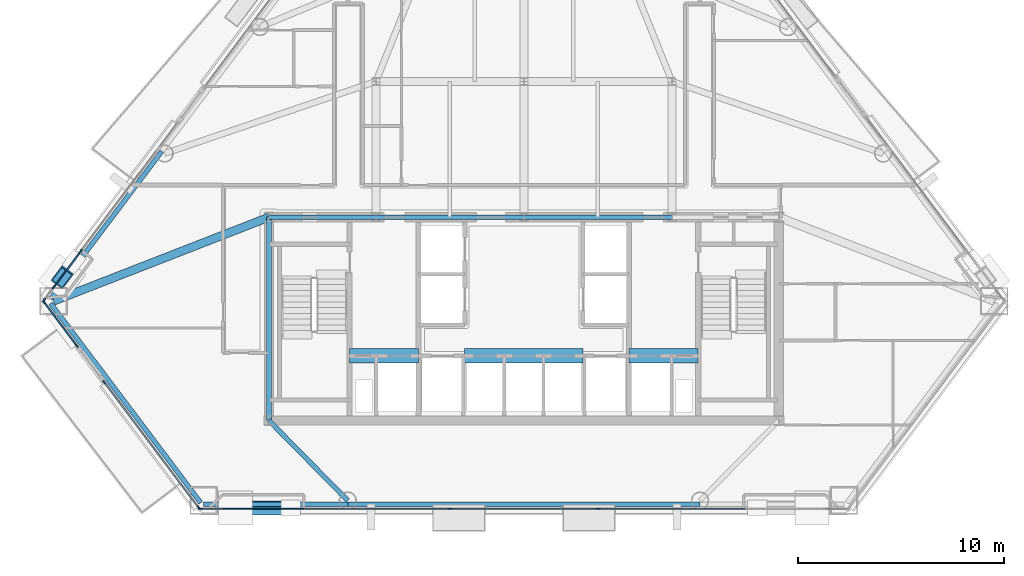
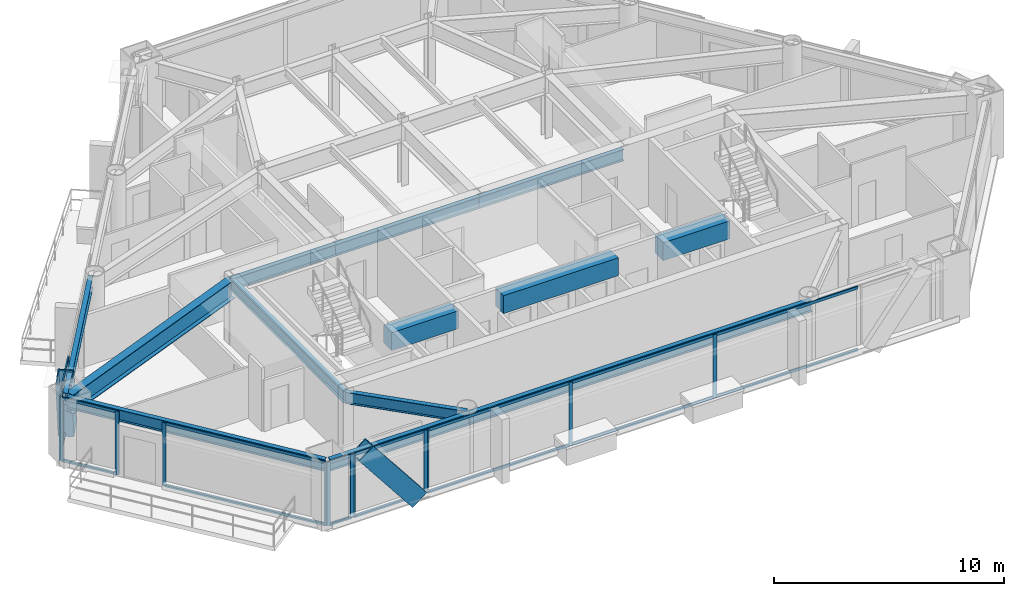
# One storey, part 2 of 14: 34 members, 13 beams, 8 elements without a shape of their own.
"""IFC4 building model written with IfcOpenShell, lengths in metres."""

from ifc_helpers import new_model, si_unit, direction, frame, origin, origin_2d, place, context, subcontext, project, spatial, rectangle, hollow_rectangle, i_section, extrude, material, layer, layer_set, material_profile, profile_set, type_object, element, aggregate, save


model = new_model("IFC4")

# Units and contexts
model_context = context("Model", 3, precision=1e-05, world=origin(), true_north=direction((0.0, 1.0)))
body_context = subcontext(model_context, "Body", "Model", "MODEL_VIEW")
ifc_project = project(units=[si_unit("LENGTHUNIT", "METRE"), si_unit("AREAUNIT", "SQUARE_METRE"), si_unit("VOLUMEUNIT", "CUBIC_METRE"), si_unit("PLANEANGLEUNIT", "RADIAN"), si_unit("MASSUNIT", "GRAM", prefix="KILO")], contexts=[model_context])

# Site, building, storey
site_placement = place(None, origin())
site = spatial("IfcSite", under=ifc_project, at=site_placement, CompositionType="ELEMENT")
building_placement = place(site_placement, origin())
building = spatial("IfcBuilding", under=site, at=building_placement, Name="Talgorran Terracotta Tower", CompositionType="ELEMENT")
storey_placement = place(building_placement, frame((0.0, 0.0, 53.10009765625)))
storey = spatial("IfcBuildingStorey", under=building, at=storey_placement, Name="L13", CompositionType="ELEMENT", Elevation=53.10009765625)

# Beams
ifc_material_1 = material(Name="Steel Grade 350 (350L0)", Category="steel")
ifc_material_profile_1 = material_profile(ifc_material_1, i_section(OverallWidth=0.39990234375, OverallDepth=1.0, WebThickness=0.01611328125, FlangeThickness=0.031005859375, at=origin_2d()), Name="1000WB296")
ifc_profile_set_1 = profile_set([ifc_material_profile_1], Name="Steel Grade 350 (350L0)")
beam_type_1 = type_object("IfcBeamType", Name="BM_1000WB296", PredefinedType="BEAM", material=ifc_profile_set_1)
beam_1_placement = place(storey_placement, frame((-12.39990234375, -4.199951171875, 2.849853515625), z_axis=(-0.931733259181, -0.363143406571, 0.0), x_axis=(0.363143406571, -0.931733259181, 0.0)))
element("IfcBeam", 1, at=beam_1_placement, inside=storey, type_object=beam_type_1, Name="L13 Floor Girder G17", PredefinedType="BEAM", context=body_context, shape_type="SweptSolid", body=[
    extrude(i_section(OverallWidth=0.39990234375, OverallDepth=1.0, WebThickness=0.01611328125, FlangeThickness=0.031005859375, at=origin_2d()), origin(), (0.0, 0.0, 1.0), 11.253662109375),
])
ifc_material_2 = material(Name="Concrete C65/80", Category="concrete")
ifc_material_profile_2 = material_profile(ifc_material_2, rectangle(XDim=0.699951171875, YDim=0.949951171875, at=origin_2d()), Name="RCCB700X950")
ifc_profile_set_2 = profile_set([ifc_material_profile_2], Name="Concrete C65/80")
beam_type_2 = type_object("IfcBeamType", Name="BM_CB_700X950", PredefinedType="LINTEL", material=ifc_profile_set_2)
beam_2_placement = place(storey_placement, frame((-8.47998046875, -10.949951171875, 2.875), z_axis=(1.0, 0.0, 0.0), x_axis=(0.0, 1.0, 0.0)))
element("IfcBeam", 2, at=beam_2_placement, inside=storey, type_object=beam_type_2, Name="L13 Core Shear-Wall Coupling Beam CB1", PredefinedType="LINTEL", context=body_context, shape_type="SweptSolid", body=[
    extrude(rectangle(XDim=0.699951171875, YDim=0.949951171875, at=origin_2d()), origin(), (0.0, 0.0, 1.0), 3.35986328125),
])
beam_3_placement = place(storey_placement, frame((-2.8798828125, -10.949951171875, 2.875), z_axis=(1.0, 0.0, 0.0), x_axis=(0.0, 1.0, 0.0)))
element("IfcBeam", 3, at=beam_3_placement, inside=storey, type_object=beam_type_2, Name="L13 Core Shear-Wall Coupling Beam CB2", PredefinedType="LINTEL", context=body_context, shape_type="SweptSolid", body=[
    extrude(rectangle(XDim=0.699951171875, YDim=0.949951171875, at=origin_2d()), origin(), (0.0, 0.0, 1.0), 5.759765625),
])
beam_4_placement = place(storey_placement, frame((5.1201171875, -10.949951171875, 2.875), z_axis=(1.0, 0.0, 0.0), x_axis=(0.0, 1.0, 0.0)))
element("IfcBeam", 4, at=beam_4_placement, inside=storey, type_object=beam_type_2, Name="L13 Core Shear-Wall Coupling Beam CB3", PredefinedType="LINTEL", context=body_context, shape_type="SweptSolid", body=[
    extrude(rectangle(XDim=0.699951171875, YDim=0.949951171875, at=origin_2d()), origin(), (0.0, 0.0, 1.0), 3.35986328125),
])
ifc_material_3 = material(Name="Steel S355 (300PLUS)", Category="steel")
ifc_material_profile_3 = material_profile(ifc_material_3, i_section(OverallWidth=0.22900390625, OverallDepth=0.611572265625, WebThickness=0.011962890625, FlangeThickness=0.01953125, at=origin_2d()), Name="610UB125")
ifc_profile_set_3 = profile_set([ifc_material_profile_3], Name="Steel S355 (300PLUS)")
beam_type_3 = type_object("IfcBeamType", Name="BM_SP_610UB125", PredefinedType="SPANDREL", material=ifc_profile_set_3)
beam_5_placement = place(storey_placement, frame((-23.029052734375, -8.39501953125, 3.044189453125), z_axis=(0.601442935973, -0.798915761997, 0.0), x_axis=(0.798915761997, 0.601442935973, 0.0)))
element("IfcBeam", 5, at=beam_5_placement, inside=storey, type_object=beam_type_3, Name="L13 Perimeter Spandrel Beam MC1-MC2", PredefinedType="SPANDREL", context=body_context, shape_type="SweptSolid", body=[
    extrude(i_section(OverallWidth=0.22900390625, OverallDepth=0.611572265625, WebThickness=0.011962890625, FlangeThickness=0.01953125, at=origin_2d()), origin(), (0.0, 0.0, 1.0), 12.14697265625),
])
beam_6_placement = place(storey_placement, frame((-15.57958984375, -18.171142578125, 3.044189453125), z_axis=(1.0, 0.0, 0.0), x_axis=(0.0, 1.0, 0.0)))
element("IfcBeam", 6, at=beam_6_placement, inside=storey, type_object=beam_type_3, Name="L13 Perimeter Spandrel Beam MC2-FC1", PredefinedType="SPANDREL", context=body_context, shape_type="SweptSolid", body=[
    extrude(i_section(OverallWidth=0.22900390625, OverallDepth=0.611572265625, WebThickness=0.011962890625, FlangeThickness=0.01953125, at=origin_2d()), origin(), (0.0, 0.0, 1.0), 7.0107421875),
])
beam_7_placement = place(storey_placement, frame((-8.56884765625, -18.171142578125, 3.044189453125), z_axis=(1.0, 0.0, 0.0), x_axis=(0.0, 1.0, 0.0)))
element("IfcBeam", 7, at=beam_7_placement, inside=storey, type_object=beam_type_3, Name="L13 Perimeter Spandrel Beam FC1-FC2", PredefinedType="SPANDREL", context=body_context, shape_type="SweptSolid", body=[
    extrude(i_section(OverallWidth=0.22900390625, OverallDepth=0.611572265625, WebThickness=0.011962890625, FlangeThickness=0.01953125, at=origin_2d()), origin(), (0.0, 0.0, 1.0), 17.1376953125),
])
beam_8_placement = place(storey_placement, frame((-17.622314453125, -0.996337890625, 3.044189453125), z_axis=(-0.601446008666, -0.798913448791, 0.0), x_axis=(0.798913448791, -0.601446008666, 0.0)))
element("IfcBeam", 8, at=beam_8_placement, inside=storey, type_object=beam_type_3, Name="L13 Perimeter Spandrel Beam FC6-MC1", PredefinedType="SPANDREL", context=body_context, shape_type="SweptSolid", body=[
    extrude(i_section(OverallWidth=0.22900390625, OverallDepth=0.611572265625, WebThickness=0.011962890625, FlangeThickness=0.01953125, at=origin_2d()), origin(), (0.0, 0.0, 1.0), 8.989501953125),
])
beam_9_placement = place(storey_placement, frame((-8.56884765625, -17.9912109375, 3.044189453125), z_axis=(-0.701586091596, 0.712584700985, 0.0), x_axis=(-0.712584700985, -0.701586091596, 0.0)))
element("IfcBeam", 9, at=beam_9_placement, inside=storey, type_object=beam_type_3, Name="L13 South-West Core Tie Beam", PredefinedType="SPANDREL", context=body_context, shape_type="SweptSolid", body=[
    extrude(i_section(OverallWidth=0.22900390625, OverallDepth=0.611572265625, WebThickness=0.011962890625, FlangeThickness=0.01953125, at=origin_2d()), origin(), (0.0, 0.0, 1.0), 5.46044921875),
])
beam_10_placement = place(storey_placement, frame((-12.39990234375, -14.10009765625, 3.044189453125), z_axis=(0.0, 1.0, 0.0), x_axis=(-1.0, 0.0, 0.0)))
element("IfcBeam", 10, at=beam_10_placement, inside=storey, type_object=beam_type_3, Name="L13 Core Frame Beam CFW", PredefinedType="SPANDREL", context=body_context, shape_type="SweptSolid", body=[
    extrude(i_section(OverallWidth=0.22900390625, OverallDepth=0.611572265625, WebThickness=0.011962890625, FlangeThickness=0.01953125, at=origin_2d()), origin(), (0.0, 0.0, 1.0), 9.900146484375),
])
beam_11_placement = place(storey_placement, frame((-12.39990234375, -4.199951171875, 3.044189453125), z_axis=(1.0, 0.0, 0.0), x_axis=(0.0, 1.0, 0.0)))
element("IfcBeam", 11, at=beam_11_placement, inside=storey, type_object=beam_type_3, Name="L13 Core Frame Beam CFN1", PredefinedType="SPANDREL", context=body_context, shape_type="SweptSolid", body=[
    extrude(i_section(OverallWidth=0.22900390625, OverallDepth=0.611572265625, WebThickness=0.011962890625, FlangeThickness=0.01953125, at=origin_2d()), origin(), (0.0, 0.0, 1.0), 5.199951171875),
])
for number, where, z_axis, x_axis, name in (
    (12, (-7.199951171875, -4.199951171875, 3.044189453125), (1.0, 0.0, 0.0), (0.0, 1.0, 0.0), "L13 Core Frame Beam CFN2"),
    (13, (0.0, -4.199951171875, 3.044189453125), (1.0, 0.0, 0.0), (0.0, 1.0, 0.0), "L13 Core Frame Beam CFN3"),
):
    element("IfcBeam", number, at=place(storey_placement, frame(where, z_axis=z_axis, x_axis=x_axis)), inside=storey, type_object=beam_type_3, Name=name, PredefinedType="SPANDREL", context=body_context, shape_type="SweptSolid", body=[
        extrude(i_section(OverallWidth=0.22900390625, OverallDepth=0.611572265625, WebThickness=0.011962890625, FlangeThickness=0.01953125, at=origin_2d()), origin(), (0.0, 0.0, 1.0), 7.199951171875),
    ])

# Members
ifc_material_profile_4 = material_profile(ifc_material_1, hollow_rectangle(XDim=0.699951171875, YDim=0.89990234375, WallThickness=0.050048828125, at=origin_2d()), Name="WBOX900X700X50")
ifc_profile_set_4 = profile_set([ifc_material_profile_4], Name="Steel Grade 350 (350L0)")
member_type_1 = type_object("IfcMemberType", Name="MB_MEGA_900", PredefinedType="BRACE", material=ifc_profile_set_4)
member_1_placement = place(storey_placement, frame((-11.3466796875, -18.35107421875, -0.025146484375), z_axis=(-0.618879608135, 0.0, 0.78548585642), x_axis=(0.0, -1.0, 0.0)))
element("IfcMember", 14, at=member_1_placement, inside=storey, type_object=member_type_1, Name="L13 Exterior Face Mega-Brace MB-1 (SWF)", PredefinedType="BRACE", context=body_context, shape_type="SweptSolid", body=[
    extrude(hollow_rectangle(XDim=0.699951171875, YDim=0.89990234375, WallThickness=0.050048828125, at=origin_2d()), origin(), (0.0, 0.0, 1.0), 4.32861328125),
])
member_2_placement = place(storey_placement, frame((-21.889892578125, -6.365478515625, -0.025146484375), z_axis=(-0.164509793484, -0.218586690335, 0.961850501199), x_axis=(0.79899919389, -0.601332094738, 0.0)))
element("IfcMember", 15, at=member_2_placement, inside=storey, type_object=member_type_1, Name="L13 Exterior Face Mega-Brace MB-1 (NWL)", PredefinedType="BRACE", context=body_context, shape_type="SweptSolid", body=[
    extrude(hollow_rectangle(XDim=0.699951171875, YDim=0.89990234375, WallThickness=0.050048828125, at=origin_2d()), origin(), (0.0, 0.0, 1.0), 3.534912109375),
])

# Curtain wall, members
ifc_material_4 = material(Name="Unitised Low-E Double Glazing", Category="glass")
ifc_layer = layer(ifc_material_4, 0.199951171875, Name="CW_SYS2_RES_LOW")
ifc_layer_set = layer_set([ifc_layer], Name="Unitised Low-E Double Glazing")
curtain_wall_type = type_object("IfcCurtainWallType", Name="CW_SYS2_RES_LOW", PredefinedType="NOTDEFINED", material=ifc_layer_set)
curtain_wall_1_placement = place(storey_placement, origin())
curtain_wall_1 = element("IfcCurtainWall", 16, at=curtain_wall_1_placement, inside=storey, type_object=curtain_wall_type, Name="CW-L13-F10", PredefinedType="NOTDEFINED")
ifc_material_5 = material(Name="Architectural Aluminium 6063-T6", Category="aluminium")
ifc_material_profile_5 = material_profile(ifc_material_5, rectangle(XDim=0.06494140625, YDim=0.18505859375, at=origin_2d()), Name="CWM65X185")
ifc_profile_set_5 = profile_set([ifc_material_profile_5], Name="Architectural Aluminium 6063-T6")
member_type_2 = type_object("IfcMemberType", Name="MUL_65X185", PredefinedType="MULLION", material=ifc_profile_set_5)
member_3_placement = place(storey_placement, frame((-23.34228515625, -8.344482421875, 0.0), z_axis=(0.0, 0.0, 1.0), x_axis=(0.798921513166, 0.601435296438, 0.0)))
member_3 = element("IfcMember", 17, at=member_3_placement, type_object=member_type_2, Name="CW-L13-10 mullion 1", PredefinedType="MULLION", context=body_context, shape_type="SweptSolid", body=[
    extrude(rectangle(XDim=0.06494140625, YDim=0.18505859375, at=origin_2d()), origin(), (0.0, 0.0, 1.0), 3.349853515625),
])
member_4_placement = place(storey_placement, frame((-21.75341796875, -10.455322265625, 0.0), z_axis=(0.0, 0.0, 1.0), x_axis=(0.798921513166, 0.601435296438, 0.0)))
member_4 = element("IfcMember", 18, at=member_4_placement, type_object=member_type_2, Name="CW-L13-10 mullion 2", PredefinedType="MULLION", context=body_context, shape_type="SweptSolid", body=[
    extrude(rectangle(XDim=0.06494140625, YDim=0.18505859375, at=origin_2d()), origin(), (0.0, 0.0, 1.0), 3.349853515625),
])

curtain_wall_2_placement = place(storey_placement, origin())
curtain_wall_2 = element("IfcCurtainWall", 19, at=curtain_wall_2_placement, inside=storey, type_object=curtain_wall_type, Name="CW-L13-F11", PredefinedType="NOTDEFINED")
member_5_placement = place(storey_placement, frame((-20.4150390625, -12.23291015625, 0.0), z_axis=(0.0, 0.0, 1.0), x_axis=(0.798912539022, 0.60144721713, 0.0)))
member_5 = element("IfcMember", 20, at=member_5_placement, type_object=member_type_2, Name="CW-L13-11 mullion 1", PredefinedType="MULLION", context=body_context, shape_type="SweptSolid", body=[
    extrude(rectangle(XDim=0.06494140625, YDim=0.18505859375, at=origin_2d()), origin(), (0.0, 0.0, 1.0), 3.349853515625),
])
member_6_placement = place(storey_placement, frame((-15.82275390625, -18.333251953125, 0.0), z_axis=(0.0, 0.0, 1.0), x_axis=(0.798912539022, 0.60144721713, 0.0)))
member_6 = element("IfcMember", 21, at=member_6_placement, type_object=member_type_2, Name="CW-L13-11 mullion 2", PredefinedType="MULLION", context=body_context, shape_type="SweptSolid", body=[
    extrude(rectangle(XDim=0.06494140625, YDim=0.18505859375, at=origin_2d()), origin(), (0.0, 0.0, 1.0), 3.349853515625),
])

curtain_wall_3_placement = place(storey_placement, origin())
curtain_wall_3 = element("IfcCurtainWall", 22, at=curtain_wall_3_placement, inside=storey, type_object=curtain_wall_type, Name="CW-L13-F1", PredefinedType="NOTDEFINED")
member_7_placement = place(storey_placement, frame((-15.74658203125, -18.39111328125, 0.0), z_axis=(0.0, 0.0, 1.0), x_axis=(0.0, 1.0, 0.0)))
member_7 = element("IfcMember", 23, at=member_7_placement, type_object=member_type_2, Name="CW-L13-1 mullion 1", PredefinedType="MULLION", context=body_context, shape_type="SweptSolid", body=[
    extrude(rectangle(XDim=0.06494140625, YDim=0.18505859375, at=origin_2d()), origin(), (0.0, 0.0, 1.0), 3.349853515625),
])
member_8_placement = place(storey_placement, frame((-14.566650390625, -18.39111328125, 0.0), z_axis=(0.0, 0.0, 1.0), x_axis=(0.0, 1.0, 0.0)))
member_8 = element("IfcMember", 24, at=member_8_placement, type_object=member_type_2, Name="CW-L13-1 mullion 2", PredefinedType="MULLION", context=body_context, shape_type="SweptSolid", body=[
    extrude(rectangle(XDim=0.06494140625, YDim=0.18505859375, at=origin_2d()), origin(), (0.0, 0.0, 1.0), 3.349853515625),
])

curtain_wall_4_placement = place(storey_placement, origin())
curtain_wall_4 = element("IfcCurtainWall", 25, at=curtain_wall_4_placement, inside=storey, type_object=curtain_wall_type, Name="CW-L13-F1B", PredefinedType="NOTDEFINED")
member_9_placement = place(storey_placement, frame((-14.49169921875, -18.39111328125, 0.0), z_axis=(0.0, 0.0, 1.0), x_axis=(0.0, 1.0, 0.0)))
member_9 = element("IfcMember", 26, at=member_9_placement, type_object=member_type_2, Name="CW-L13-1B mullion 1", PredefinedType="MULLION", context=body_context, shape_type="SweptSolid", body=[
    extrude(rectangle(XDim=0.06494140625, YDim=0.18505859375, at=origin_2d()), origin(), (0.0, 0.0, 1.0), 3.349853515625),
])
member_10_placement = place(storey_placement, frame((-10.880615234375, -18.39111328125, 0.0), z_axis=(0.0, 0.0, 1.0), x_axis=(0.0, 1.0, 0.0)))
member_10 = element("IfcMember", 27, at=member_10_placement, type_object=member_type_2, Name="CW-L13-1B mullion 2", PredefinedType="MULLION", context=body_context, shape_type="SweptSolid", body=[
    extrude(rectangle(XDim=0.06494140625, YDim=0.18505859375, at=origin_2d()), origin(), (0.0, 0.0, 1.0), 3.349853515625),
])

curtain_wall_5_placement = place(storey_placement, origin())
curtain_wall_5 = element("IfcCurtainWall", 28, at=curtain_wall_5_placement, inside=storey, type_object=curtain_wall_type, Name="CW-L13-F1C", PredefinedType="NOTDEFINED")
member_11_placement = place(storey_placement, frame((-10.8056640625, -18.39111328125, 0.0), z_axis=(0.0, 0.0, 1.0), x_axis=(0.0, 1.0, 0.0)))
member_11 = element("IfcMember", 29, at=member_11_placement, type_object=member_type_2, Name="CW-L13-1C mullion 1", PredefinedType="MULLION", context=body_context, shape_type="SweptSolid", body=[
    extrude(rectangle(XDim=0.06494140625, YDim=0.18505859375, at=origin_2d()), origin(), (0.0, 0.0, 1.0), 3.349853515625),
])
member_12_placement = place(storey_placement, frame((-3.61279296875, -18.39111328125, 0.0), z_axis=(0.0, 0.0, 1.0), x_axis=(0.0, 1.0, 0.0)))
member_12 = element("IfcMember", 30, at=member_12_placement, type_object=member_type_2, Name="CW-L13-1C mullion 2", PredefinedType="MULLION", context=body_context, shape_type="SweptSolid", body=[
    extrude(rectangle(XDim=0.06494140625, YDim=0.18505859375, at=origin_2d()), origin(), (0.0, 0.0, 1.0), 3.349853515625),
])
member_13_placement = place(storey_placement, frame((3.61279296875, -18.39111328125, 0.0), z_axis=(0.0, 0.0, 1.0), x_axis=(0.0, 1.0, 0.0)))
member_13 = element("IfcMember", 31, at=member_13_placement, type_object=member_type_2, Name="CW-L13-1C mullion 3", PredefinedType="MULLION", context=body_context, shape_type="SweptSolid", body=[
    extrude(rectangle(XDim=0.06494140625, YDim=0.18505859375, at=origin_2d()), origin(), (0.0, 0.0, 1.0), 3.349853515625),
])

# Curtain wall, member
curtain_wall_6_placement = place(storey_placement, origin())
curtain_wall_6 = element("IfcCurtainWall", 32, at=curtain_wall_6_placement, inside=storey, type_object=curtain_wall_type, Name="CW-L13-F61", PredefinedType="NOTDEFINED")
member_14_placement = place(storey_placement, frame((-21.548583984375, -5.845947265625, 0.0), z_axis=(0.0, 0.0, 1.0), x_axis=(0.798918277152, -0.601439594999, 0.0)))
member_14 = element("IfcMember", 33, at=member_14_placement, type_object=member_type_2, Name="CW-L13-61 mullion 2", PredefinedType="MULLION", context=body_context, shape_type="SweptSolid", body=[
    extrude(rectangle(XDim=0.06494140625, YDim=0.18505859375, at=origin_2d()), origin(), (0.0, 0.0, 1.0), 3.349853515625),
])
aggregate(curtain_wall_6, [member_14])

# Curtain wall, members
curtain_wall_7_placement = place(storey_placement, origin())
curtain_wall_7 = element("IfcCurtainWall", 34, at=curtain_wall_7_placement, inside=storey, type_object=curtain_wall_type, Name="CW-L13-F61B", PredefinedType="NOTDEFINED")
member_15_placement = place(storey_placement, frame((-21.59375, -5.90576171875, 0.0), z_axis=(0.0, 0.0, 1.0), x_axis=(0.798918969813, -0.601438674906, 0.0)))
member_15 = element("IfcMember", 35, at=member_15_placement, type_object=member_type_2, Name="CW-L13-61B mullion 1", PredefinedType="MULLION", context=body_context, shape_type="SweptSolid", body=[
    extrude(rectangle(XDim=0.06494140625, YDim=0.18505859375, at=origin_2d()), origin(), (0.0, 0.0, 1.0), 3.349853515625),
])
member_16_placement = place(storey_placement, frame((-22.831298828125, -7.5498046875, 0.0), z_axis=(0.0, 0.0, 1.0), x_axis=(0.798918969813, -0.601438674906, 0.0)))
member_16 = element("IfcMember", 36, at=member_16_placement, type_object=member_type_2, Name="CW-L13-61B mullion 2", PredefinedType="MULLION", context=body_context, shape_type="SweptSolid", body=[
    extrude(rectangle(XDim=0.06494140625, YDim=0.18505859375, at=origin_2d()), origin(), (0.0, 0.0, 1.0), 3.349853515625),
])

curtain_wall_8_placement = place(storey_placement, origin())
curtain_wall_8 = element("IfcCurtainWall", 37, at=curtain_wall_8_placement, inside=storey, type_object=curtain_wall_type, Name="CW-L13-F61C", PredefinedType="NOTDEFINED")
member_17_placement = place(storey_placement, frame((-22.87646484375, -7.60986328125, 0.0), z_axis=(0.0, 0.0, 1.0), x_axis=(0.798912511121, -0.601447254192, 0.0)))
member_17 = element("IfcMember", 38, at=member_17_placement, type_object=member_type_2, Name="CW-L13-61C mullion 1", PredefinedType="MULLION", context=body_context, shape_type="SweptSolid", body=[
    extrude(rectangle(XDim=0.06494140625, YDim=0.18505859375, at=origin_2d()), origin(), (0.0, 0.0, 1.0), 3.349853515625),
])
member_18_placement = place(storey_placement, frame((-23.34228515625, -8.228515625, 0.0), z_axis=(0.0, 0.0, 1.0), x_axis=(0.798912511121, -0.601447254192, 0.0)))
member_18 = element("IfcMember", 39, at=member_18_placement, type_object=member_type_2, Name="CW-L13-61C mullion 2", PredefinedType="MULLION", context=body_context, shape_type="SweptSolid", body=[
    extrude(rectangle(XDim=0.06494140625, YDim=0.18505859375, at=origin_2d()), origin(), (0.0, 0.0, 1.0), 3.349853515625),
])
aggregate(curtain_wall_8, [member_17, member_18])

# Member
ifc_material_profile_6 = material_profile(ifc_material_5, rectangle(XDim=0.06494140625, YDim=0.14990234375, at=origin_2d()), Name="CWT65X150")
ifc_profile_set_6 = profile_set([ifc_material_profile_6], Name="Architectural Aluminium 6063-T6")
member_type_3 = type_object("IfcMemberType", Name="TRN_65X150", PredefinedType="USERDEFINED", material=ifc_profile_set_6)
member_19_placement = place(storey_placement, frame((-23.32275390625, -8.37060546875, 0.032470703125), z_axis=(0.601408797942, -0.798941460783, 0.0), x_axis=(0.798941460783, 0.601408797942, 0.0)))
member_19 = element("IfcMember", 40, at=member_19_placement, type_object=member_type_3, Name="CW-L13-10 transom 1.1", ObjectType="TRANSOM", PredefinedType="USERDEFINED", context=body_context, shape_type="SweptSolid", body=[
    extrude(rectangle(XDim=0.06494140625, YDim=0.14990234375, at=origin_2d()), origin(), (0.0, 0.0, 1.0), 2.576904296875),
])

member_20_placement = place(storey_placement, frame((-23.32275390625, -8.37060546875, 3.3173828125), z_axis=(0.601408797942, -0.798941460783, 0.0), x_axis=(0.798941460783, 0.601408797942, 0.0)))
member_20 = element("IfcMember", 41, at=member_20_placement, type_object=member_type_3, Name="CW-L13-10 transom 1.2", ObjectType="TRANSOM", PredefinedType="USERDEFINED", context=body_context, shape_type="SweptSolid", body=[
    extrude(rectangle(XDim=0.06494140625, YDim=0.14990234375, at=origin_2d()), origin(), (0.0, 0.0, 1.0), 2.576904296875),
])

aggregate(curtain_wall_1, [member_3, member_4, member_19, member_20])

member_21_placement = place(storey_placement, frame((-20.3955078125, -12.259033203125, 0.032470703125), z_axis=(0.601448941866, -0.798911240582, 0.0), x_axis=(0.798911240582, 0.601448941866, 0.0)))
member_21 = element("IfcMember", 42, at=member_21_placement, type_object=member_type_3, Name="CW-L13-11 transom 1.1", ObjectType="TRANSOM", PredefinedType="USERDEFINED", context=body_context, shape_type="SweptSolid", body=[
    extrude(rectangle(XDim=0.06494140625, YDim=0.14990234375, at=origin_2d()), origin(), (0.0, 0.0, 1.0), 7.5703125),
])

member_22_placement = place(storey_placement, frame((-20.3955078125, -12.259033203125, 3.3173828125), z_axis=(0.601448941866, -0.798911240582, 0.0), x_axis=(0.798911240582, 0.601448941866, 0.0)))
member_22 = element("IfcMember", 43, at=member_22_placement, type_object=member_type_3, Name="CW-L13-11 transom 1.2", ObjectType="TRANSOM", PredefinedType="USERDEFINED", context=body_context, shape_type="SweptSolid", body=[
    extrude(rectangle(XDim=0.06494140625, YDim=0.14990234375, at=origin_2d()), origin(), (0.0, 0.0, 1.0), 7.5703125),
])

aggregate(curtain_wall_2, [member_5, member_6, member_21, member_22])

member_23_placement = place(storey_placement, frame((-15.714111328125, -18.39111328125, 0.032470703125), z_axis=(1.0, 0.0, 0.0), x_axis=(0.0, 1.0, 0.0)))
member_23 = element("IfcMember", 44, at=member_23_placement, type_object=member_type_3, Name="CW-L13-1 transom 1.1", ObjectType="TRANSOM", PredefinedType="USERDEFINED", context=body_context, shape_type="SweptSolid", body=[
    extrude(rectangle(XDim=0.06494140625, YDim=0.14990234375, at=origin_2d()), origin(), (0.0, 0.0, 1.0), 1.114990234375),
])

member_24_placement = place(storey_placement, frame((-15.714111328125, -18.39111328125, 3.3173828125), z_axis=(1.0, 0.0, 0.0), x_axis=(0.0, 1.0, 0.0)))
member_24 = element("IfcMember", 45, at=member_24_placement, type_object=member_type_3, Name="CW-L13-1 transom 1.2", ObjectType="TRANSOM", PredefinedType="USERDEFINED", context=body_context, shape_type="SweptSolid", body=[
    extrude(rectangle(XDim=0.06494140625, YDim=0.14990234375, at=origin_2d()), origin(), (0.0, 0.0, 1.0), 1.114990234375),
])

aggregate(curtain_wall_3, [member_7, member_8, member_23, member_24])

member_25_placement = place(storey_placement, frame((-14.459228515625, -18.39111328125, 0.032470703125), z_axis=(1.0, 0.0, 0.0), x_axis=(0.0, 1.0, 0.0)))
member_25 = element("IfcMember", 46, at=member_25_placement, type_object=member_type_3, Name="CW-L13-1B transom 1.1", ObjectType="TRANSOM", PredefinedType="USERDEFINED", context=body_context, shape_type="SweptSolid", body=[
    extrude(rectangle(XDim=0.06494140625, YDim=0.14990234375, at=origin_2d()), origin(), (0.0, 0.0, 1.0), 3.546142578125),
])

member_26_placement = place(storey_placement, frame((-14.459228515625, -18.39111328125, 3.3173828125), z_axis=(1.0, 0.0, 0.0), x_axis=(0.0, 1.0, 0.0)))
member_26 = element("IfcMember", 47, at=member_26_placement, type_object=member_type_3, Name="CW-L13-1B transom 1.2", ObjectType="TRANSOM", PredefinedType="USERDEFINED", context=body_context, shape_type="SweptSolid", body=[
    extrude(rectangle(XDim=0.06494140625, YDim=0.14990234375, at=origin_2d()), origin(), (0.0, 0.0, 1.0), 3.546142578125),
])

aggregate(curtain_wall_4, [member_9, member_10, member_25, member_26])

member_27_placement = place(storey_placement, frame((-10.773193359375, -18.39111328125, 0.032470703125), z_axis=(1.0, 0.0, 0.0), x_axis=(0.0, 1.0, 0.0)))
member_27 = element("IfcMember", 48, at=member_27_placement, type_object=member_type_3, Name="CW-L13-1C transom 1.1", ObjectType="TRANSOM", PredefinedType="USERDEFINED", context=body_context, shape_type="SweptSolid", body=[
    extrude(rectangle(XDim=0.06494140625, YDim=0.14990234375, at=origin_2d()), origin(), (0.0, 0.0, 1.0), 7.1279296875),
])

member_28_placement = place(storey_placement, frame((-10.773193359375, -18.39111328125, 3.3173828125), z_axis=(1.0, 0.0, 0.0), x_axis=(0.0, 1.0, 0.0)))
member_28 = element("IfcMember", 49, at=member_28_placement, type_object=member_type_3, Name="CW-L13-1C transom 1.2", ObjectType="TRANSOM", PredefinedType="USERDEFINED", context=body_context, shape_type="SweptSolid", body=[
    extrude(rectangle(XDim=0.06494140625, YDim=0.14990234375, at=origin_2d()), origin(), (0.0, 0.0, 1.0), 7.1279296875),
])

member_29_placement = place(storey_placement, frame((-3.580078125, -18.39111328125, 0.032470703125), z_axis=(1.0, 0.0, 0.0), x_axis=(0.0, 1.0, 0.0)))
member_29 = element("IfcMember", 50, at=member_29_placement, type_object=member_type_3, Name="CW-L13-1C transom 2.1", ObjectType="TRANSOM", PredefinedType="USERDEFINED", context=body_context, shape_type="SweptSolid", body=[
    extrude(rectangle(XDim=0.06494140625, YDim=0.14990234375, at=origin_2d()), origin(), (0.0, 0.0, 1.0), 7.16015625),
])

member_30_placement = place(storey_placement, frame((-3.580078125, -18.39111328125, 3.3173828125), z_axis=(1.0, 0.0, 0.0), x_axis=(0.0, 1.0, 0.0)))
member_30 = element("IfcMember", 51, at=member_30_placement, type_object=member_type_3, Name="CW-L13-1C transom 2.2", ObjectType="TRANSOM", PredefinedType="USERDEFINED", context=body_context, shape_type="SweptSolid", body=[
    extrude(rectangle(XDim=0.06494140625, YDim=0.14990234375, at=origin_2d()), origin(), (0.0, 0.0, 1.0), 7.16015625),
])

member_31_placement = place(storey_placement, frame((3.645263671875, -18.39111328125, 0.032470703125), z_axis=(1.0, 0.0, 0.0), x_axis=(0.0, 1.0, 0.0)))
member_31 = element("IfcMember", 52, at=member_31_placement, type_object=member_type_3, Name="CW-L13-1C transom 3.1", ObjectType="TRANSOM", PredefinedType="USERDEFINED", context=body_context, shape_type="SweptSolid", body=[
    extrude(rectangle(XDim=0.06494140625, YDim=0.14990234375, at=origin_2d()), origin(), (0.0, 0.0, 1.0), 7.1279296875),
])

member_32_placement = place(storey_placement, frame((3.645263671875, -18.39111328125, 3.3173828125), z_axis=(1.0, 0.0, 0.0), x_axis=(0.0, 1.0, 0.0)))
member_32 = element("IfcMember", 53, at=member_32_placement, type_object=member_type_3, Name="CW-L13-1C transom 3.2", ObjectType="TRANSOM", PredefinedType="USERDEFINED", context=body_context, shape_type="SweptSolid", body=[
    extrude(rectangle(XDim=0.06494140625, YDim=0.14990234375, at=origin_2d()), origin(), (0.0, 0.0, 1.0), 7.1279296875),
])

aggregate(curtain_wall_5, [member_11, member_12, member_13, member_27, member_28, member_29, member_30, member_31, member_32])

member_33_placement = place(storey_placement, frame((-21.61328125, -5.931884765625, 0.032470703125), z_axis=(-0.601430024587, -0.798925481835, 0.0), x_axis=(0.798925481835, -0.601430024587, 0.0)))
member_33 = element("IfcMember", 54, at=member_33_placement, type_object=member_type_3, Name="CW-L13-61B transom 1.1", ObjectType="TRANSOM", PredefinedType="USERDEFINED", context=body_context, shape_type="SweptSolid", body=[
    extrude(rectangle(XDim=0.06494140625, YDim=0.14990234375, at=origin_2d()), origin(), (0.0, 0.0, 1.0), 1.99267578125),
])

member_34_placement = place(storey_placement, frame((-21.61328125, -5.931884765625, 3.3173828125), z_axis=(-0.601430024587, -0.798925481835, 0.0), x_axis=(0.798925481835, -0.601430024587, 0.0)))
member_34 = element("IfcMember", 55, at=member_34_placement, type_object=member_type_3, Name="CW-L13-61B transom 1.2", ObjectType="TRANSOM", PredefinedType="USERDEFINED", context=body_context, shape_type="SweptSolid", body=[
    extrude(rectangle(XDim=0.06494140625, YDim=0.14990234375, at=origin_2d()), origin(), (0.0, 0.0, 1.0), 1.99267578125),
])

aggregate(curtain_wall_7, [member_15, member_16, member_33, member_34])

save(model, "model.ifc")
